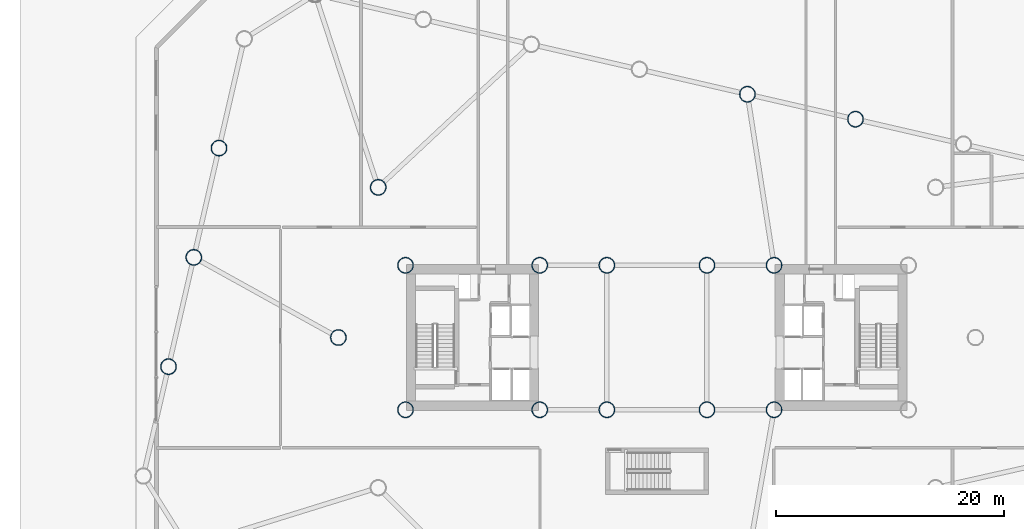
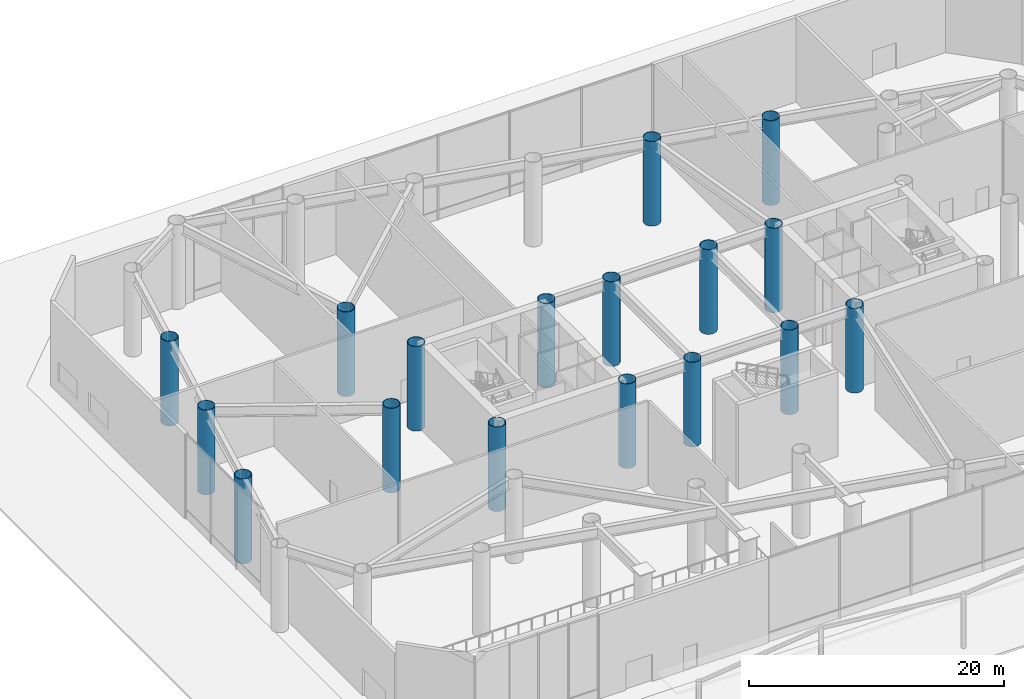
# One storey, part 4 of 28: 17 columns.
"""IFC4 building model written with IfcOpenShell, lengths in metres."""

from ifc_helpers import new_model, si_unit, direction, frame, origin, origin_2d, place, context, subcontext, project, spatial, hollow_circle, extrude, material, material_profile, profile_set, type_object, element, save


model = new_model("IFC4")

# Units and contexts
model_context = context("Model", 3, precision=1e-05, world=origin(), true_north=direction((0.0, 1.0)))
body_context = subcontext(model_context, "Body", "Model", "MODEL_VIEW")
ifc_project = project(units=[si_unit("LENGTHUNIT", "METRE"), si_unit("AREAUNIT", "SQUARE_METRE"), si_unit("VOLUMEUNIT", "CUBIC_METRE"), si_unit("PLANEANGLEUNIT", "RADIAN"), si_unit("MASSUNIT", "GRAM", prefix="KILO")], contexts=[model_context])

# Site, building, storey
site_placement = place(None, origin())
site = spatial("IfcSite", under=ifc_project, at=site_placement, CompositionType="ELEMENT")
building_placement = place(site_placement, origin())
building = spatial("IfcBuilding", under=site, at=building_placement, Name="Tavrogorsk Clinical Tower", CompositionType="ELEMENT")
storey_placement = place(building_placement, origin())
storey = spatial("IfcBuildingStorey", under=building, at=storey_placement, Name="L00", CompositionType="ELEMENT", Elevation=0.0)

# Columns
ifc_material = material(Name="Structural steel S440", Category="steel")
ifc_material_profile = material_profile(ifc_material, hollow_circle(Radius=0.699951171875, WallThickness=0.050048828125, at=origin_2d()), Name="CHS-1400x50")
ifc_profile_set = profile_set([ifc_material_profile], Name="Structural steel S440")
column_type = type_object("IfcColumnType", Name="PilotisStilt_CHS1400", PredefinedType="COLUMN", material=ifc_profile_set)
for number, where, z_axis, x_axis, name in (
    (1, (-22.10009765625, -6.35009765625, 0.0), (0.0, 0.0, 1.0), (1.0, 0.0, 0.0), "L00 Mega Column MC-W1"),
    (2, (-22.10009765625, 6.35009765625, 0.0), (0.0, 0.0, 1.0), (1.0, 0.0, 0.0), "L00 Mega Column MC-W2"),
    (3, (-10.300048828125, -6.35009765625, 0.0), (0.0, 0.0, 1.0), (1.0, 0.0, 0.0), "L00 Mega Column MC-W3"),
    (4, (-10.300048828125, 6.35009765625, 0.0), (0.0, 0.0, 1.0), (1.0, 0.0, 0.0), "L00 Mega Column MC-W4"),
    (5, (10.300048828125, -6.35009765625, 0.0), (0.0, 0.0, 1.0), (1.0, 0.0, 0.0), "L00 Mega Column MC-E1"),
    (6, (10.300048828125, 6.35009765625, 0.0), (0.0, 0.0, 1.0), (1.0, 0.0, 0.0), "L00 Mega Column MC-E2"),
    (7, (-4.39990234375, -6.35009765625, 0.0), (0.0, 0.0, 1.0), (1.0, 0.0, 0.0), "L00 Mega Column MC-C1"),
    (8, (4.39990234375, -6.35009765625, 0.0), (0.0, 0.0, 1.0), (1.0, 0.0, 0.0), "L00 Mega Column MC-C2"),
    (9, (-4.39990234375, 6.35009765625, 0.0), (0.0, 0.0, 1.0), (1.0, 0.0, 0.0), "L00 Mega Column MC-C3"),
    (10, (4.39990234375, 6.35009765625, 0.0), (0.0, 0.0, 1.0), (1.0, 0.0, 0.0), "L00 Mega Column MC-C4"),
    (11, (-24.5, 13.199951171875, 0.0), (0.0, 0.0, 1.0), (1.0, 0.0, 0.0), "L00 Spine Pilotis Column MC-P3"),
    (12, (-28.0, 0.0, 0.0), (0.0, 0.0, 1.0), (1.0, 0.0, 0.0), "L00 Spine Pilotis Column MC-P5"),
    (13, (17.453857421875, 19.19189453125, 0.0), (0.0, 0.0, 1.0), (1.0, 0.0, 0.0), "L00 Open Pilotis Stilt N3"),
    (14, (7.955078125, 21.384765625, 0.0), (0.0, 0.0, 1.0), (1.0, 0.0, 0.0), "L00 Open Pilotis Stilt N4"),
    (15, (-38.494140625, 16.65234375, 0.0), (0.0, 0.0, 1.0), (1.0, 0.0, 0.0), "L00 Open Pilotis Stilt W2"),
    (16, (-40.712158203125, 7.045166015625, 0.0), (0.0, 0.0, 1.0), (1.0, 0.0, 0.0), "L00 Open Pilotis Stilt W3"),
    (17, (-42.93017578125, -2.562255859375, 0.0), (0.0, 0.0, 1.0), (1.0, 0.0, 0.0), "L00 Open Pilotis Stilt W4"),
):
    element("IfcColumn", number, at=place(storey_placement, frame(where, z_axis=z_axis, x_axis=x_axis)), inside=storey, type_object=column_type, Name=name, PredefinedType="COLUMN", context=body_context, shape_type="SweptSolid", body=[
        extrude(hollow_circle(Radius=0.699951171875, WallThickness=0.050048828125, at=origin_2d()), origin(), (0.0, 0.0, 1.0), 8.10009765625),
    ])

save(model, "model.ifc")
